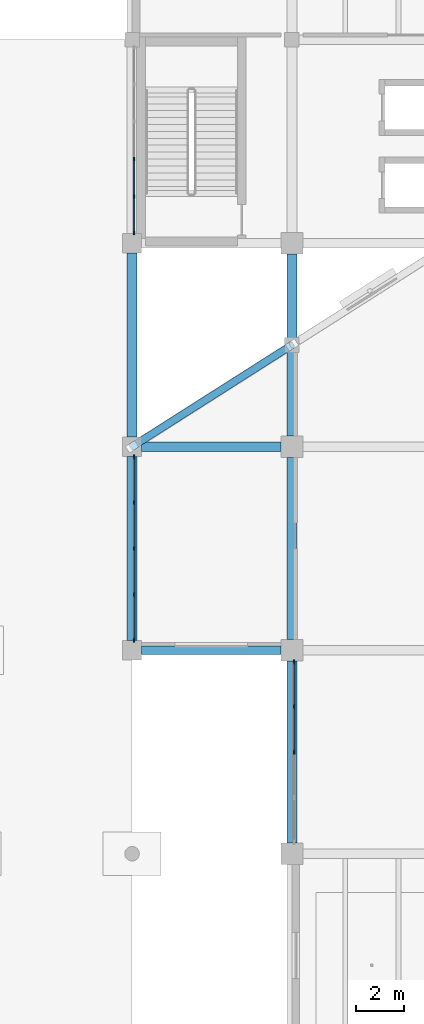
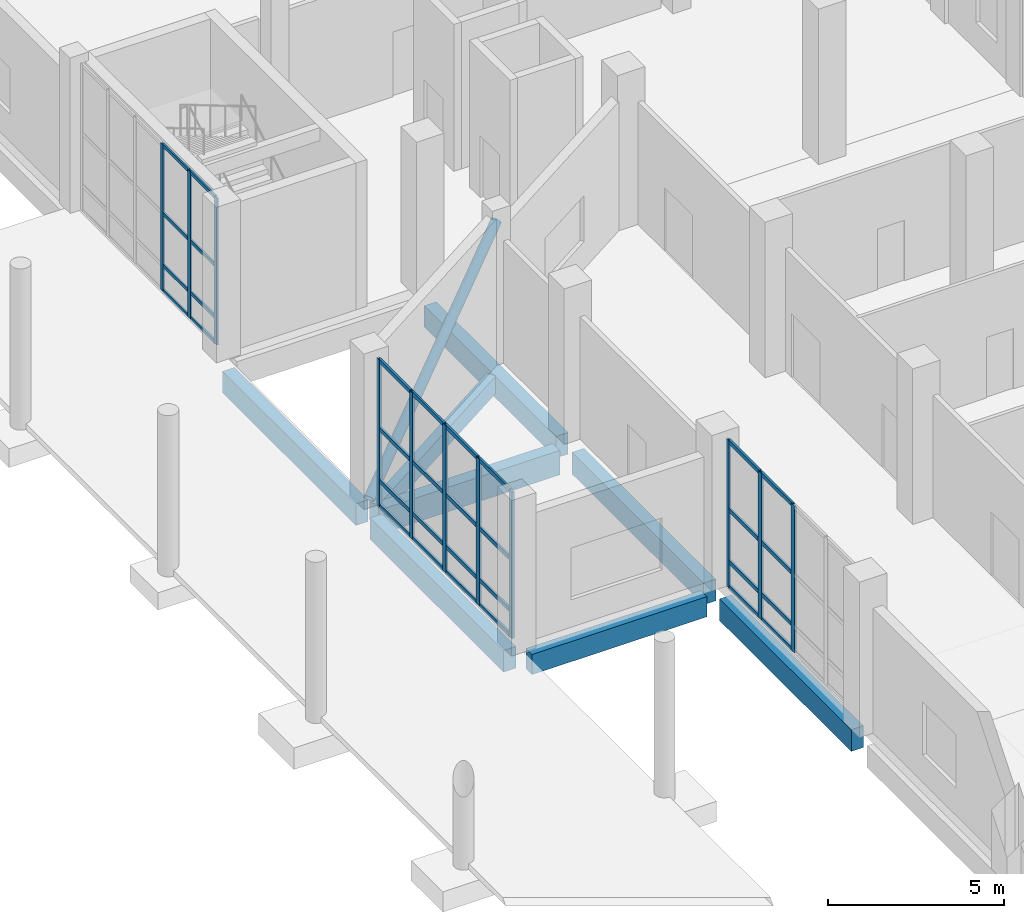
# One storey, part 18 of 64: 44 members, 8 beams, 3 elements without a shape of their own.
"""IFC4 building model written with IfcOpenShell, lengths in metres."""

from ifc_helpers import new_model, si_unit, direction, frame, origin, origin_2d, place, context, subcontext, project, spatial, rectangle, hollow_circle, extrude, material, material_profile, profile_set, type_object, element, aggregate, save


model = new_model("IFC4")

# Units and contexts
model_context = context("Model", 3, precision=1e-05, world=origin(), true_north=direction((0.0, 1.0)))
body_context = subcontext(model_context, "Body", "Model", "MODEL_VIEW")
ifc_project = project(units=[si_unit("LENGTHUNIT", "METRE"), si_unit("AREAUNIT", "SQUARE_METRE"), si_unit("VOLUMEUNIT", "CUBIC_METRE"), si_unit("PLANEANGLEUNIT", "RADIAN"), si_unit("MASSUNIT", "GRAM", prefix="KILO")], contexts=[model_context])

# Site, building, storey
site_placement = place(None, origin())
site = spatial("IfcSite", under=ifc_project, at=site_placement, CompositionType="ELEMENT")
building_placement = place(site_placement, origin())
building = spatial("IfcBuilding", under=site, at=building_placement, Name="Qaldarim Faculty of Natural and Applied Sciences", CompositionType="ELEMENT")
storey_placement = place(building_placement, origin())
storey = spatial("IfcBuildingStorey", under=building, at=storey_placement, Name="L00", CompositionType="ELEMENT", Elevation=0.0)

# Beams
ifc_material_1 = material(Name="Concrete C50/60", Category="concrete")
ifc_material_profile_1 = material_profile(ifc_material_1, rectangle(XDim=0.39990234375, YDim=0.75, at=origin_2d()), Name="RC-B400x750")
ifc_profile_set_1 = profile_set([ifc_material_profile_1], Name="Concrete C50/60")
beam_type_1 = type_object("IfcBeamType", Name="LabGirder-RC400x750", PredefinedType="BEAM", material=ifc_profile_set_1)
beam_1_placement = place(storey_placement, frame((151.800048828125, 42.39990234375, -0.735107421875), z_axis=(0.0, 1.0, 0.0), x_axis=(-1.0, 0.0, 0.0)))
element("IfcBeam", 1, at=beam_1_placement, inside=storey, type_object=beam_type_1, Name="Beam RC-B400x750 B01 X24/Y06-Y07", PredefinedType="BEAM", context=body_context, shape_type="SweptSolid", body=[
    extrude(rectangle(XDim=0.39990234375, YDim=0.75, at=origin_2d()), origin(), (0.0, 0.0, 1.0), 7.60009765625),
])
beam_2_placement = place(storey_placement, frame((151.800048828125, 50.800048828125, -0.735107421875), z_axis=(0.0, 1.0, 0.0), x_axis=(-1.0, 0.0, 0.0)))
element("IfcBeam", 2, at=beam_2_placement, inside=storey, type_object=beam_type_1, Name="Beam RC-B400x750 B01 X24/Y07-Y08", PredefinedType="BEAM", context=body_context, shape_type="SweptSolid", body=[
    extrude(rectangle(XDim=0.39990234375, YDim=0.75, at=origin_2d()), origin(), (0.0, 0.0, 1.0), 7.599853515625),
])
for number, where, z_axis, x_axis, name in (
    (3, (158.39990234375, 34.050048828125, -0.735107421875), (0.0, 1.0, 0.0), (-1.0, 0.0, 0.0), "Beam RC-B400x750 B01 X25/Y05-Y06"),
    (4, (158.39990234375, 42.449951171875, -0.735107421875), (0.0, 1.0, 0.0), (-1.0, 0.0, 0.0), "Beam RC-B400x750 B01 X25/Y06-Y07"),
    (5, (158.39990234375, 50.85009765625, -0.735107421875), (0.0, 1.0, 0.0), (-1.0, 0.0, 0.0), "Beam RC-B400x750 B01 X25/Y07-Y08"),
):
    element("IfcBeam", number, at=place(storey_placement, frame(where, z_axis=z_axis, x_axis=x_axis)), inside=storey, type_object=beam_type_1, Name=name, PredefinedType="BEAM", context=body_context, shape_type="SweptSolid", body=[
        extrude(rectangle(XDim=0.39990234375, YDim=0.75, at=origin_2d()), origin(), (0.0, 0.0, 1.0), 7.5),
    ])

# Member
ifc_material_2 = material(Name="Structural steel S355", Category="steel")
ifc_material_profile_2 = material_profile(ifc_material_2, hollow_circle(Radius=0.161865234375, WallThickness=0.02001953125, at=origin_2d()), Name="CHS 323.9x20.0")
ifc_profile_set_2 = profile_set([ifc_material_profile_2], Name="Structural steel S355")
member_type_1 = type_object("IfcMemberType", Name="LowerWingBrace-CHS323-9x20", PredefinedType="BRACE", material=ifc_profile_set_2)
member_1_placement = place(storey_placement, frame((151.800048828125, 50.39990234375, 0.0), z_axis=(0.719075785033, 0.45762511766, 0.522981134522), x_axis=(-0.536901743335, 0.843644781886, 0.0)))
element("IfcMember", 6, at=member_1_placement, inside=storey, type_object=member_type_1, Name="Oblique NW chamfer diagrid brace L00", PredefinedType="BRACE", context=body_context, shape_type="SweptSolid", body=[
    extrude(hollow_circle(Radius=0.161865234375, WallThickness=0.02001953125, at=origin_2d()), origin(), (0.0, 0.0, 1.0), 9.17822265625),
])

# Curtain wall, members
ifc_material_3 = material(Name="Anodised aluminium AW-6063", Category="aluminium")
curtain_wall_type_1 = type_object("IfcCurtainWallType", Name="CurtainWallSystem-M1600", PredefinedType="USERDEFINED", material=ifc_material_3)
curtain_wall_1_placement = place(storey_placement, origin())
curtain_wall_1 = element("IfcCurtainWall", 7, at=curtain_wall_1_placement, inside=storey, type_object=curtain_wall_type_1, Name="Curtain wall CW-L00-W-X24Y08", ObjectType="UNITISED FACADE", PredefinedType="USERDEFINED")
ifc_material_profile_3 = material_profile(ifc_material_3, rectangle(XDim=0.06005859375, YDim=0.14990234375, at=origin_2d()), Name="ALU-M60x150")
ifc_profile_set_3 = profile_set([ifc_material_profile_3], Name="Anodised aluminium AW-6063")
member_type_2 = type_object("IfcMemberType", Name="Mullion-ALU60x150", PredefinedType="MULLION", material=ifc_profile_set_3)
member_2_placement = place(storey_placement, frame((151.8798828125, 62.279052734375, 0.0), z_axis=(0.0, 0.0, 1.0), x_axis=(1.0, 0.0, 0.0)))
member_2 = element("IfcMember", 8, at=member_2_placement, type_object=member_type_2, Name="Mullion 4 of CW-L00-W-X24Y08", PredefinedType="MULLION", context=body_context, shape_type="SweptSolid", body=[
    extrude(rectangle(XDim=0.06005859375, YDim=0.14990234375, at=origin_2d()), origin(), (0.0, 0.0, 1.0), 5.10009765625),
])
member_3_placement = place(storey_placement, frame((151.8798828125, 60.737060546875, 0.0), z_axis=(0.0, 0.0, 1.0), x_axis=(1.0, 0.0, 0.0)))
member_3 = element("IfcMember", 9, at=member_3_placement, type_object=member_type_2, Name="Mullion 5 of CW-L00-W-X24Y08", PredefinedType="MULLION", context=body_context, shape_type="SweptSolid", body=[
    extrude(rectangle(XDim=0.06005859375, YDim=0.14990234375, at=origin_2d()), origin(), (0.0, 0.0, 1.0), 5.10009765625),
])
member_4_placement = place(storey_placement, frame((151.8798828125, 59.22509765625, 0.0), z_axis=(0.0, 0.0, 1.0), x_axis=(1.0, 0.0, 0.0)))
member_4 = element("IfcMember", 10, at=member_4_placement, type_object=member_type_2, Name="Mullion 6 of CW-L00-W-X24Y08", PredefinedType="MULLION", context=body_context, shape_type="SweptSolid", body=[
    extrude(rectangle(XDim=0.06005859375, YDim=0.14990234375, at=origin_2d()), origin(), (0.0, 0.0, 1.0), 5.10009765625),
])

curtain_wall_type_2 = type_object("IfcCurtainWallType", Name="CurtainWallSystem-M1700", PredefinedType="USERDEFINED", material=ifc_material_3)
curtain_wall_2_placement = place(storey_placement, origin())
curtain_wall_2 = element("IfcCurtainWall", 11, at=curtain_wall_2_placement, inside=storey, type_object=curtain_wall_type_2, Name="Curtain wall CW-L00-W-X24Y06", ObjectType="UNITISED FACADE", PredefinedType="USERDEFINED")
ifc_material_profile_4 = material_profile(ifc_material_3, rectangle(XDim=0.070068359375, YDim=0.179931640625, at=origin_2d()), Name="ALU-M70x180")
ifc_profile_set_4 = profile_set([ifc_material_profile_4], Name="Anodised aluminium AW-6063")
member_type_3 = type_object("IfcMemberType", Name="Mullion-ALU70x180", PredefinedType="MULLION", material=ifc_profile_set_4)
member_5_placement = place(storey_placement, frame((151.8798828125, 49.969970703125, 0.0), z_axis=(0.0, 0.0, 1.0), x_axis=(1.0, 0.0, 0.0)))
member_5 = element("IfcMember", 12, at=member_5_placement, type_object=member_type_3, Name="Mullion 1 of CW-L00-W-X24Y06", PredefinedType="MULLION", context=body_context, shape_type="SweptSolid", body=[
    extrude(rectangle(XDim=0.070068359375, YDim=0.179931640625, at=origin_2d()), origin(), (0.0, 0.0, 1.0), 5.10009765625),
])
member_6_placement = place(storey_placement, frame((151.8798828125, 48.1025390625, 0.0), z_axis=(0.0, 0.0, 1.0), x_axis=(1.0, 0.0, 0.0)))
member_6 = element("IfcMember", 13, at=member_6_placement, type_object=member_type_3, Name="Mullion 2 of CW-L00-W-X24Y06", PredefinedType="MULLION", context=body_context, shape_type="SweptSolid", body=[
    extrude(rectangle(XDim=0.070068359375, YDim=0.179931640625, at=origin_2d()), origin(), (0.0, 0.0, 1.0), 5.10009765625),
])
member_7_placement = place(storey_placement, frame((151.8798828125, 46.199951171875, 0.0), z_axis=(0.0, 0.0, 1.0), x_axis=(1.0, 0.0, 0.0)))
member_7 = element("IfcMember", 14, at=member_7_placement, type_object=member_type_3, Name="Mullion 3 of CW-L00-W-X24Y06", PredefinedType="MULLION", context=body_context, shape_type="SweptSolid", body=[
    extrude(rectangle(XDim=0.070068359375, YDim=0.179931640625, at=origin_2d()), origin(), (0.0, 0.0, 1.0), 5.10009765625),
])
member_8_placement = place(storey_placement, frame((151.8798828125, 44.297607421875, 0.0), z_axis=(0.0, 0.0, 1.0), x_axis=(1.0, 0.0, 0.0)))
member_8 = element("IfcMember", 15, at=member_8_placement, type_object=member_type_3, Name="Mullion 4 of CW-L00-W-X24Y06", PredefinedType="MULLION", context=body_context, shape_type="SweptSolid", body=[
    extrude(rectangle(XDim=0.070068359375, YDim=0.179931640625, at=origin_2d()), origin(), (0.0, 0.0, 1.0), 5.10009765625),
])
member_9_placement = place(storey_placement, frame((151.8798828125, 42.429931640625, 0.0), z_axis=(0.0, 0.0, 1.0), x_axis=(1.0, 0.0, 0.0)))
member_9 = element("IfcMember", 16, at=member_9_placement, type_object=member_type_3, Name="Mullion 5 of CW-L00-W-X24Y06", PredefinedType="MULLION", context=body_context, shape_type="SweptSolid", body=[
    extrude(rectangle(XDim=0.070068359375, YDim=0.179931640625, at=origin_2d()), origin(), (0.0, 0.0, 1.0), 5.10009765625),
])

curtain_wall_3_placement = place(storey_placement, origin())
curtain_wall_3 = element("IfcCurtainWall", 17, at=curtain_wall_3_placement, inside=storey, type_object=curtain_wall_type_2, Name="Curtain wall CW-L00-W-X25Y05", ObjectType="UNITISED FACADE", PredefinedType="USERDEFINED")
member_10_placement = place(storey_placement, frame((158.47998046875, 41.52001953125, 0.0), z_axis=(0.0, 0.0, 1.0), x_axis=(1.0, 0.0, 0.0)))
member_10 = element("IfcMember", 18, at=member_10_placement, type_object=member_type_3, Name="Mullion 1 of CW-L00-W-X25Y05", PredefinedType="MULLION", context=body_context, shape_type="SweptSolid", body=[
    extrude(rectangle(XDim=0.070068359375, YDim=0.179931640625, at=origin_2d()), origin(), (0.0, 0.0, 1.0), 5.10009765625),
])
member_11_placement = place(storey_placement, frame((158.47998046875, 39.677490234375, 0.0), z_axis=(0.0, 0.0, 1.0), x_axis=(1.0, 0.0, 0.0)))
member_11 = element("IfcMember", 19, at=member_11_placement, type_object=member_type_3, Name="Mullion 2 of CW-L00-W-X25Y05", PredefinedType="MULLION", context=body_context, shape_type="SweptSolid", body=[
    extrude(rectangle(XDim=0.070068359375, YDim=0.179931640625, at=origin_2d()), origin(), (0.0, 0.0, 1.0), 5.10009765625),
])
member_12_placement = place(storey_placement, frame((158.47998046875, 37.800048828125, 0.0), z_axis=(0.0, 0.0, 1.0), x_axis=(1.0, 0.0, 0.0)))
member_12 = element("IfcMember", 20, at=member_12_placement, type_object=member_type_3, Name="Mullion 3 of CW-L00-W-X25Y05", PredefinedType="MULLION", context=body_context, shape_type="SweptSolid", body=[
    extrude(rectangle(XDim=0.070068359375, YDim=0.179931640625, at=origin_2d()), origin(), (0.0, 0.0, 1.0), 5.10009765625),
])

# Beams
ifc_material_profile_5 = material_profile(ifc_material_1, rectangle(XDim=0.39990234375, YDim=0.85009765625, at=origin_2d()), Name="RC-B400x850")
ifc_profile_set_5 = profile_set([ifc_material_profile_5], Name="Concrete C50/60")
beam_type_2 = type_object("IfcBeamType", Name="PodiumGirder-RC400x850", PredefinedType="BEAM", material=ifc_profile_set_5)
beam_3_placement = place(storey_placement, frame((152.199951171875, 50.39990234375, -0.784912109375), z_axis=(1.0, 0.0, 0.0), x_axis=(0.0, 1.0, 0.0)))
element("IfcBeam", 21, at=beam_3_placement, inside=storey, type_object=beam_type_2, Name="Beam RC-B400x850 B01 X24-X25/Y07", PredefinedType="BEAM", context=body_context, shape_type="SweptSolid", body=[
    extrude(rectangle(XDim=0.39990234375, YDim=0.85009765625, at=origin_2d()), origin(), (0.0, 0.0, 1.0), 5.75),
])
ifc_material_4 = material(Name="Concrete C40/50", Category="concrete")
ifc_material_profile_6 = material_profile(ifc_material_4, rectangle(XDim=0.35009765625, YDim=0.699951171875, at=origin_2d()), Name="RC-B350x700")
ifc_profile_set_6 = profile_set([ifc_material_profile_6], Name="Concrete C40/50")
beam_type_3 = type_object("IfcBeamType", Name="PrimaryGirder-RC350x700", PredefinedType="BEAM", material=ifc_profile_set_6)
beam_4_placement = place(storey_placement, frame((152.199951171875, 42.0, -0.7099609375), z_axis=(1.0, 0.0, 0.0), x_axis=(0.0, 1.0, 0.0)))
element("IfcBeam", 22, at=beam_4_placement, inside=storey, type_object=beam_type_3, Name="Beam RC-B350x700 B01 X24-X25/Y06", PredefinedType="BEAM", context=body_context, shape_type="SweptSolid", body=[
    extrude(rectangle(XDim=0.35009765625, YDim=0.699951171875, at=origin_2d()), origin(), (0.0, 0.0, 1.0), 5.75),
])
ifc_material_5 = material(Name="Precast concrete C40/50", Category="concrete")
ifc_material_profile_7 = material_profile(ifc_material_5, rectangle(XDim=0.300048828125, YDim=0.60009765625, at=origin_2d()), Name="RC-SP300x600")
ifc_profile_set_7 = profile_set([ifc_material_profile_7], Name="Precast concrete C40/50")
beam_type_4 = type_object("IfcBeamType", Name="SpandrelBeam-RC300x600", PredefinedType="SPANDREL", material=ifc_profile_set_7)
beam_5_placement = place(storey_placement, frame((152.050048828125, 50.56005859375, -0.659912109375), z_axis=(0.843776886751, 0.536694107835, 0.0), x_axis=(-0.536694107835, 0.843776886751, 0.0)))
element("IfcBeam", 23, at=beam_5_placement, inside=storey, type_object=beam_type_4, Name="Oblique NW chamfer spandrel B01 1", PredefinedType="SPANDREL", context=body_context, shape_type="SweptSolid", body=[
    extrude(rectangle(XDim=0.300048828125, YDim=0.60009765625, at=origin_2d()), origin(), (0.0, 0.0, 1.0), 7.229248046875),
])

# Member
ifc_material_profile_8 = material_profile(ifc_material_3, rectangle(XDim=0.06005859375, YDim=0.1201171875, at=origin_2d()), Name="ALU-T60x120")
ifc_profile_set_8 = profile_set([ifc_material_profile_8], Name="Anodised aluminium AW-6063")
member_type_4 = type_object("IfcMemberType", Name="Transom-ALU60x120", PredefinedType="USERDEFINED", material=ifc_profile_set_8)
member_13_placement = place(storey_placement, frame((151.8798828125, 62.2490234375, 0.030029296875), z_axis=(0.0, -1.0, 0.0), x_axis=(1.0, 0.0, 0.0)))
member_13 = element("IfcMember", 24, at=member_13_placement, type_object=member_type_4, Name="Transom 4-1 of CW-L00-W-X24Y08", ObjectType="TRANSOM", PredefinedType="USERDEFINED", context=body_context, shape_type="SweptSolid", body=[
    extrude(rectangle(XDim=0.06005859375, YDim=0.1201171875, at=origin_2d()), origin(), (0.0, 0.0, 1.0), 1.48193359375),
])

member_14_placement = place(storey_placement, frame((151.8798828125, 62.2490234375, 0.89990234375), z_axis=(0.0, -1.0, 0.0), x_axis=(1.0, 0.0, 0.0)))
member_14 = element("IfcMember", 25, at=member_14_placement, type_object=member_type_4, Name="Transom 4-2 of CW-L00-W-X24Y08", ObjectType="TRANSOM", PredefinedType="USERDEFINED", context=body_context, shape_type="SweptSolid", body=[
    extrude(rectangle(XDim=0.06005859375, YDim=0.1201171875, at=origin_2d()), origin(), (0.0, 0.0, 1.0), 1.48193359375),
])

member_15_placement = place(storey_placement, frame((151.8798828125, 62.2490234375, 2.699951171875), z_axis=(0.0, -1.0, 0.0), x_axis=(1.0, 0.0, 0.0)))
member_15 = element("IfcMember", 26, at=member_15_placement, type_object=member_type_4, Name="Transom 4-3 of CW-L00-W-X24Y08", ObjectType="TRANSOM", PredefinedType="USERDEFINED", context=body_context, shape_type="SweptSolid", body=[
    extrude(rectangle(XDim=0.06005859375, YDim=0.1201171875, at=origin_2d()), origin(), (0.0, 0.0, 1.0), 1.48193359375),
])

member_16_placement = place(storey_placement, frame((151.8798828125, 62.2490234375, 5.070068359375), z_axis=(0.0, -1.0, 0.0), x_axis=(1.0, 0.0, 0.0)))
member_16 = element("IfcMember", 27, at=member_16_placement, type_object=member_type_4, Name="Transom 4-4 of CW-L00-W-X24Y08", ObjectType="TRANSOM", PredefinedType="USERDEFINED", context=body_context, shape_type="SweptSolid", body=[
    extrude(rectangle(XDim=0.06005859375, YDim=0.1201171875, at=origin_2d()), origin(), (0.0, 0.0, 1.0), 1.48193359375),
])

member_17_placement = place(storey_placement, frame((151.8798828125, 60.70703125, 0.030029296875), z_axis=(0.0, -1.0, 0.0), x_axis=(1.0, 0.0, 0.0)))
member_17 = element("IfcMember", 28, at=member_17_placement, type_object=member_type_4, Name="Transom 5-1 of CW-L00-W-X24Y08", ObjectType="TRANSOM", PredefinedType="USERDEFINED", context=body_context, shape_type="SweptSolid", body=[
    extrude(rectangle(XDim=0.06005859375, YDim=0.1201171875, at=origin_2d()), origin(), (0.0, 0.0, 1.0), 1.4521484375),
])

member_18_placement = place(storey_placement, frame((151.8798828125, 60.70703125, 0.89990234375), z_axis=(0.0, -1.0, 0.0), x_axis=(1.0, 0.0, 0.0)))
member_18 = element("IfcMember", 29, at=member_18_placement, type_object=member_type_4, Name="Transom 5-2 of CW-L00-W-X24Y08", ObjectType="TRANSOM", PredefinedType="USERDEFINED", context=body_context, shape_type="SweptSolid", body=[
    extrude(rectangle(XDim=0.06005859375, YDim=0.1201171875, at=origin_2d()), origin(), (0.0, 0.0, 1.0), 1.4521484375),
])

member_19_placement = place(storey_placement, frame((151.8798828125, 60.70703125, 2.699951171875), z_axis=(0.0, -1.0, 0.0), x_axis=(1.0, 0.0, 0.0)))
member_19 = element("IfcMember", 30, at=member_19_placement, type_object=member_type_4, Name="Transom 5-3 of CW-L00-W-X24Y08", ObjectType="TRANSOM", PredefinedType="USERDEFINED", context=body_context, shape_type="SweptSolid", body=[
    extrude(rectangle(XDim=0.06005859375, YDim=0.1201171875, at=origin_2d()), origin(), (0.0, 0.0, 1.0), 1.4521484375),
])

member_20_placement = place(storey_placement, frame((151.8798828125, 60.70703125, 5.070068359375), z_axis=(0.0, -1.0, 0.0), x_axis=(1.0, 0.0, 0.0)))
member_20 = element("IfcMember", 31, at=member_20_placement, type_object=member_type_4, Name="Transom 5-4 of CW-L00-W-X24Y08", ObjectType="TRANSOM", PredefinedType="USERDEFINED", context=body_context, shape_type="SweptSolid", body=[
    extrude(rectangle(XDim=0.06005859375, YDim=0.1201171875, at=origin_2d()), origin(), (0.0, 0.0, 1.0), 1.4521484375),
])

aggregate(curtain_wall_1, [member_2, member_3, member_4, member_13, member_14, member_15, member_16, member_17, member_18, member_19, member_20])

ifc_material_profile_9 = material_profile(ifc_material_3, rectangle(XDim=0.070068359375, YDim=0.139892578125, at=origin_2d()), Name="ALU-T70x140")
ifc_profile_set_9 = profile_set([ifc_material_profile_9], Name="Anodised aluminium AW-6063")
member_type_5 = type_object("IfcMemberType", Name="Transom-ALU70x140", PredefinedType="USERDEFINED", material=ifc_profile_set_9)
member_21_placement = place(storey_placement, frame((151.8798828125, 49.93505859375, 0.034912109375), z_axis=(0.0, -1.0, 0.0), x_axis=(1.0, 0.0, 0.0)))
member_21 = element("IfcMember", 32, at=member_21_placement, type_object=member_type_5, Name="Transom 1-1 of CW-L00-W-X24Y06", ObjectType="TRANSOM", PredefinedType="USERDEFINED", context=body_context, shape_type="SweptSolid", body=[
    extrude(rectangle(XDim=0.070068359375, YDim=0.139892578125, at=origin_2d()), origin(), (0.0, 0.0, 1.0), 1.797607421875),
])

member_22_placement = place(storey_placement, frame((151.8798828125, 49.93505859375, 0.89990234375), z_axis=(0.0, -1.0, 0.0), x_axis=(1.0, 0.0, 0.0)))
member_22 = element("IfcMember", 33, at=member_22_placement, type_object=member_type_5, Name="Transom 1-2 of CW-L00-W-X24Y06", ObjectType="TRANSOM", PredefinedType="USERDEFINED", context=body_context, shape_type="SweptSolid", body=[
    extrude(rectangle(XDim=0.070068359375, YDim=0.139892578125, at=origin_2d()), origin(), (0.0, 0.0, 1.0), 1.797607421875),
])

member_23_placement = place(storey_placement, frame((151.8798828125, 49.93505859375, 2.699951171875), z_axis=(0.0, -1.0, 0.0), x_axis=(1.0, 0.0, 0.0)))
member_23 = element("IfcMember", 34, at=member_23_placement, type_object=member_type_5, Name="Transom 1-3 of CW-L00-W-X24Y06", ObjectType="TRANSOM", PredefinedType="USERDEFINED", context=body_context, shape_type="SweptSolid", body=[
    extrude(rectangle(XDim=0.070068359375, YDim=0.139892578125, at=origin_2d()), origin(), (0.0, 0.0, 1.0), 1.797607421875),
])

member_24_placement = place(storey_placement, frame((151.8798828125, 49.93505859375, 5.06494140625), z_axis=(0.0, -1.0, 0.0), x_axis=(1.0, 0.0, 0.0)))
member_24 = element("IfcMember", 35, at=member_24_placement, type_object=member_type_5, Name="Transom 1-4 of CW-L00-W-X24Y06", ObjectType="TRANSOM", PredefinedType="USERDEFINED", context=body_context, shape_type="SweptSolid", body=[
    extrude(rectangle(XDim=0.070068359375, YDim=0.139892578125, at=origin_2d()), origin(), (0.0, 0.0, 1.0), 1.797607421875),
])

member_25_placement = place(storey_placement, frame((151.8798828125, 48.0673828125, 0.034912109375), z_axis=(0.0, -1.0, 0.0), x_axis=(1.0, 0.0, 0.0)))
member_25 = element("IfcMember", 36, at=member_25_placement, type_object=member_type_5, Name="Transom 2-1 of CW-L00-W-X24Y06", ObjectType="TRANSOM", PredefinedType="USERDEFINED", context=body_context, shape_type="SweptSolid", body=[
    extrude(rectangle(XDim=0.070068359375, YDim=0.139892578125, at=origin_2d()), origin(), (0.0, 0.0, 1.0), 1.832275390625),
])

member_26_placement = place(storey_placement, frame((151.8798828125, 48.0673828125, 0.89990234375), z_axis=(0.0, -1.0, 0.0), x_axis=(1.0, 0.0, 0.0)))
member_26 = element("IfcMember", 37, at=member_26_placement, type_object=member_type_5, Name="Transom 2-2 of CW-L00-W-X24Y06", ObjectType="TRANSOM", PredefinedType="USERDEFINED", context=body_context, shape_type="SweptSolid", body=[
    extrude(rectangle(XDim=0.070068359375, YDim=0.139892578125, at=origin_2d()), origin(), (0.0, 0.0, 1.0), 1.832275390625),
])

member_27_placement = place(storey_placement, frame((151.8798828125, 48.0673828125, 2.699951171875), z_axis=(0.0, -1.0, 0.0), x_axis=(1.0, 0.0, 0.0)))
member_27 = element("IfcMember", 38, at=member_27_placement, type_object=member_type_5, Name="Transom 2-3 of CW-L00-W-X24Y06", ObjectType="TRANSOM", PredefinedType="USERDEFINED", context=body_context, shape_type="SweptSolid", body=[
    extrude(rectangle(XDim=0.070068359375, YDim=0.139892578125, at=origin_2d()), origin(), (0.0, 0.0, 1.0), 1.832275390625),
])

member_28_placement = place(storey_placement, frame((151.8798828125, 48.0673828125, 5.06494140625), z_axis=(0.0, -1.0, 0.0), x_axis=(1.0, 0.0, 0.0)))
member_28 = element("IfcMember", 39, at=member_28_placement, type_object=member_type_5, Name="Transom 2-4 of CW-L00-W-X24Y06", ObjectType="TRANSOM", PredefinedType="USERDEFINED", context=body_context, shape_type="SweptSolid", body=[
    extrude(rectangle(XDim=0.070068359375, YDim=0.139892578125, at=origin_2d()), origin(), (0.0, 0.0, 1.0), 1.832275390625),
])

member_29_placement = place(storey_placement, frame((151.8798828125, 46.1650390625, 0.034912109375), z_axis=(0.0, -1.0, 0.0), x_axis=(1.0, 0.0, 0.0)))
member_29 = element("IfcMember", 40, at=member_29_placement, type_object=member_type_5, Name="Transom 3-1 of CW-L00-W-X24Y06", ObjectType="TRANSOM", PredefinedType="USERDEFINED", context=body_context, shape_type="SweptSolid", body=[
    extrude(rectangle(XDim=0.070068359375, YDim=0.139892578125, at=origin_2d()), origin(), (0.0, 0.0, 1.0), 1.83251953125),
])

member_30_placement = place(storey_placement, frame((151.8798828125, 46.1650390625, 0.89990234375), z_axis=(0.0, -1.0, 0.0), x_axis=(1.0, 0.0, 0.0)))
member_30 = element("IfcMember", 41, at=member_30_placement, type_object=member_type_5, Name="Transom 3-2 of CW-L00-W-X24Y06", ObjectType="TRANSOM", PredefinedType="USERDEFINED", context=body_context, shape_type="SweptSolid", body=[
    extrude(rectangle(XDim=0.070068359375, YDim=0.139892578125, at=origin_2d()), origin(), (0.0, 0.0, 1.0), 1.83251953125),
])

member_31_placement = place(storey_placement, frame((151.8798828125, 46.1650390625, 2.699951171875), z_axis=(0.0, -1.0, 0.0), x_axis=(1.0, 0.0, 0.0)))
member_31 = element("IfcMember", 42, at=member_31_placement, type_object=member_type_5, Name="Transom 3-3 of CW-L00-W-X24Y06", ObjectType="TRANSOM", PredefinedType="USERDEFINED", context=body_context, shape_type="SweptSolid", body=[
    extrude(rectangle(XDim=0.070068359375, YDim=0.139892578125, at=origin_2d()), origin(), (0.0, 0.0, 1.0), 1.83251953125),
])

member_32_placement = place(storey_placement, frame((151.8798828125, 46.1650390625, 5.06494140625), z_axis=(0.0, -1.0, 0.0), x_axis=(1.0, 0.0, 0.0)))
member_32 = element("IfcMember", 43, at=member_32_placement, type_object=member_type_5, Name="Transom 3-4 of CW-L00-W-X24Y06", ObjectType="TRANSOM", PredefinedType="USERDEFINED", context=body_context, shape_type="SweptSolid", body=[
    extrude(rectangle(XDim=0.070068359375, YDim=0.139892578125, at=origin_2d()), origin(), (0.0, 0.0, 1.0), 1.83251953125),
])

member_33_placement = place(storey_placement, frame((151.8798828125, 44.262451171875, 0.034912109375), z_axis=(0.0, -1.0, 0.0), x_axis=(1.0, 0.0, 0.0)))
member_33 = element("IfcMember", 44, at=member_33_placement, type_object=member_type_5, Name="Transom 4-1 of CW-L00-W-X24Y06", ObjectType="TRANSOM", PredefinedType="USERDEFINED", context=body_context, shape_type="SweptSolid", body=[
    extrude(rectangle(XDim=0.070068359375, YDim=0.139892578125, at=origin_2d()), origin(), (0.0, 0.0, 1.0), 1.79736328125),
])

member_34_placement = place(storey_placement, frame((151.8798828125, 44.262451171875, 0.89990234375), z_axis=(0.0, -1.0, 0.0), x_axis=(1.0, 0.0, 0.0)))
member_34 = element("IfcMember", 45, at=member_34_placement, type_object=member_type_5, Name="Transom 4-2 of CW-L00-W-X24Y06", ObjectType="TRANSOM", PredefinedType="USERDEFINED", context=body_context, shape_type="SweptSolid", body=[
    extrude(rectangle(XDim=0.070068359375, YDim=0.139892578125, at=origin_2d()), origin(), (0.0, 0.0, 1.0), 1.79736328125),
])

member_35_placement = place(storey_placement, frame((151.8798828125, 44.262451171875, 2.699951171875), z_axis=(0.0, -1.0, 0.0), x_axis=(1.0, 0.0, 0.0)))
member_35 = element("IfcMember", 46, at=member_35_placement, type_object=member_type_5, Name="Transom 4-3 of CW-L00-W-X24Y06", ObjectType="TRANSOM", PredefinedType="USERDEFINED", context=body_context, shape_type="SweptSolid", body=[
    extrude(rectangle(XDim=0.070068359375, YDim=0.139892578125, at=origin_2d()), origin(), (0.0, 0.0, 1.0), 1.79736328125),
])

member_36_placement = place(storey_placement, frame((151.8798828125, 44.262451171875, 5.06494140625), z_axis=(0.0, -1.0, 0.0), x_axis=(1.0, 0.0, 0.0)))
member_36 = element("IfcMember", 47, at=member_36_placement, type_object=member_type_5, Name="Transom 4-4 of CW-L00-W-X24Y06", ObjectType="TRANSOM", PredefinedType="USERDEFINED", context=body_context, shape_type="SweptSolid", body=[
    extrude(rectangle(XDim=0.070068359375, YDim=0.139892578125, at=origin_2d()), origin(), (0.0, 0.0, 1.0), 1.79736328125),
])

aggregate(curtain_wall_2, [member_5, member_6, member_7, member_8, member_9, member_21, member_22, member_23, member_24, member_25, member_26, member_27, member_28, member_29, member_30, member_31, member_32, member_33, member_34, member_35, member_36])

member_37_placement = place(storey_placement, frame((158.47998046875, 41.485107421875, 0.034912109375), z_axis=(0.0, -1.0, 0.0), x_axis=(1.0, 0.0, 0.0)))
member_37 = element("IfcMember", 48, at=member_37_placement, type_object=member_type_5, Name="Transom 1-1 of CW-L00-W-X25Y05", ObjectType="TRANSOM", PredefinedType="USERDEFINED", context=body_context, shape_type="SweptSolid", body=[
    extrude(rectangle(XDim=0.070068359375, YDim=0.139892578125, at=origin_2d()), origin(), (0.0, 0.0, 1.0), 1.772705078125),
])

member_38_placement = place(storey_placement, frame((158.47998046875, 41.485107421875, 0.89990234375), z_axis=(0.0, -1.0, 0.0), x_axis=(1.0, 0.0, 0.0)))
member_38 = element("IfcMember", 49, at=member_38_placement, type_object=member_type_5, Name="Transom 1-2 of CW-L00-W-X25Y05", ObjectType="TRANSOM", PredefinedType="USERDEFINED", context=body_context, shape_type="SweptSolid", body=[
    extrude(rectangle(XDim=0.070068359375, YDim=0.139892578125, at=origin_2d()), origin(), (0.0, 0.0, 1.0), 1.772705078125),
])

member_39_placement = place(storey_placement, frame((158.47998046875, 41.485107421875, 2.699951171875), z_axis=(0.0, -1.0, 0.0), x_axis=(1.0, 0.0, 0.0)))
member_39 = element("IfcMember", 50, at=member_39_placement, type_object=member_type_5, Name="Transom 1-3 of CW-L00-W-X25Y05", ObjectType="TRANSOM", PredefinedType="USERDEFINED", context=body_context, shape_type="SweptSolid", body=[
    extrude(rectangle(XDim=0.070068359375, YDim=0.139892578125, at=origin_2d()), origin(), (0.0, 0.0, 1.0), 1.772705078125),
])

member_40_placement = place(storey_placement, frame((158.47998046875, 41.485107421875, 5.06494140625), z_axis=(0.0, -1.0, 0.0), x_axis=(1.0, 0.0, 0.0)))
member_40 = element("IfcMember", 51, at=member_40_placement, type_object=member_type_5, Name="Transom 1-4 of CW-L00-W-X25Y05", ObjectType="TRANSOM", PredefinedType="USERDEFINED", context=body_context, shape_type="SweptSolid", body=[
    extrude(rectangle(XDim=0.070068359375, YDim=0.139892578125, at=origin_2d()), origin(), (0.0, 0.0, 1.0), 1.772705078125),
])

member_41_placement = place(storey_placement, frame((158.47998046875, 39.642578125, 0.034912109375), z_axis=(0.0, -1.0, 0.0), x_axis=(1.0, 0.0, 0.0)))
member_41 = element("IfcMember", 52, at=member_41_placement, type_object=member_type_5, Name="Transom 2-1 of CW-L00-W-X25Y05", ObjectType="TRANSOM", PredefinedType="USERDEFINED", context=body_context, shape_type="SweptSolid", body=[
    extrude(rectangle(XDim=0.070068359375, YDim=0.139892578125, at=origin_2d()), origin(), (0.0, 0.0, 1.0), 1.8076171875),
])

member_42_placement = place(storey_placement, frame((158.47998046875, 39.642578125, 0.89990234375), z_axis=(0.0, -1.0, 0.0), x_axis=(1.0, 0.0, 0.0)))
member_42 = element("IfcMember", 53, at=member_42_placement, type_object=member_type_5, Name="Transom 2-2 of CW-L00-W-X25Y05", ObjectType="TRANSOM", PredefinedType="USERDEFINED", context=body_context, shape_type="SweptSolid", body=[
    extrude(rectangle(XDim=0.070068359375, YDim=0.139892578125, at=origin_2d()), origin(), (0.0, 0.0, 1.0), 1.8076171875),
])

member_43_placement = place(storey_placement, frame((158.47998046875, 39.642578125, 2.699951171875), z_axis=(0.0, -1.0, 0.0), x_axis=(1.0, 0.0, 0.0)))
member_43 = element("IfcMember", 54, at=member_43_placement, type_object=member_type_5, Name="Transom 2-3 of CW-L00-W-X25Y05", ObjectType="TRANSOM", PredefinedType="USERDEFINED", context=body_context, shape_type="SweptSolid", body=[
    extrude(rectangle(XDim=0.070068359375, YDim=0.139892578125, at=origin_2d()), origin(), (0.0, 0.0, 1.0), 1.8076171875),
])

member_44_placement = place(storey_placement, frame((158.47998046875, 39.642578125, 5.06494140625), z_axis=(0.0, -1.0, 0.0), x_axis=(1.0, 0.0, 0.0)))
member_44 = element("IfcMember", 55, at=member_44_placement, type_object=member_type_5, Name="Transom 2-4 of CW-L00-W-X25Y05", ObjectType="TRANSOM", PredefinedType="USERDEFINED", context=body_context, shape_type="SweptSolid", body=[
    extrude(rectangle(XDim=0.070068359375, YDim=0.139892578125, at=origin_2d()), origin(), (0.0, 0.0, 1.0), 1.8076171875),
])

aggregate(curtain_wall_3, [member_10, member_11, member_12, member_37, member_38, member_39, member_40, member_41, member_42, member_43, member_44])

save(model, "model.ifc")
